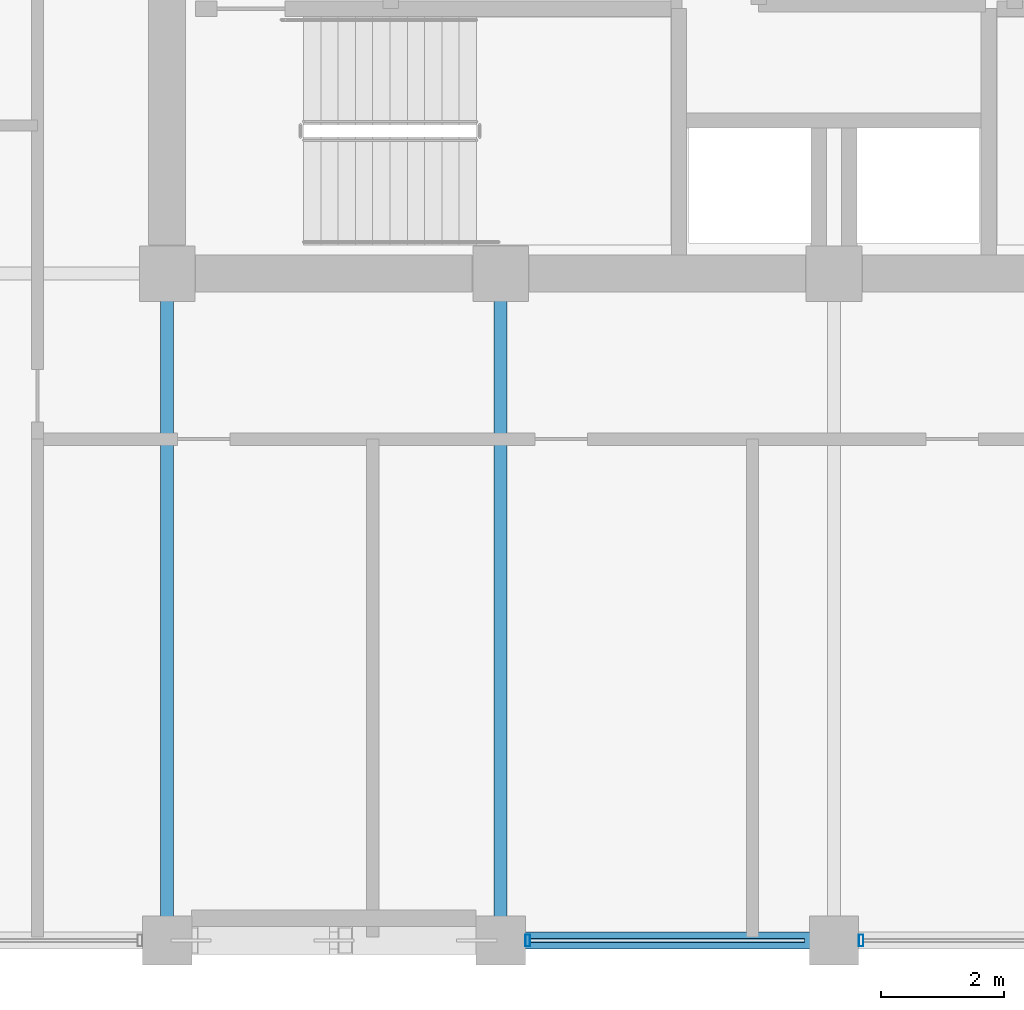
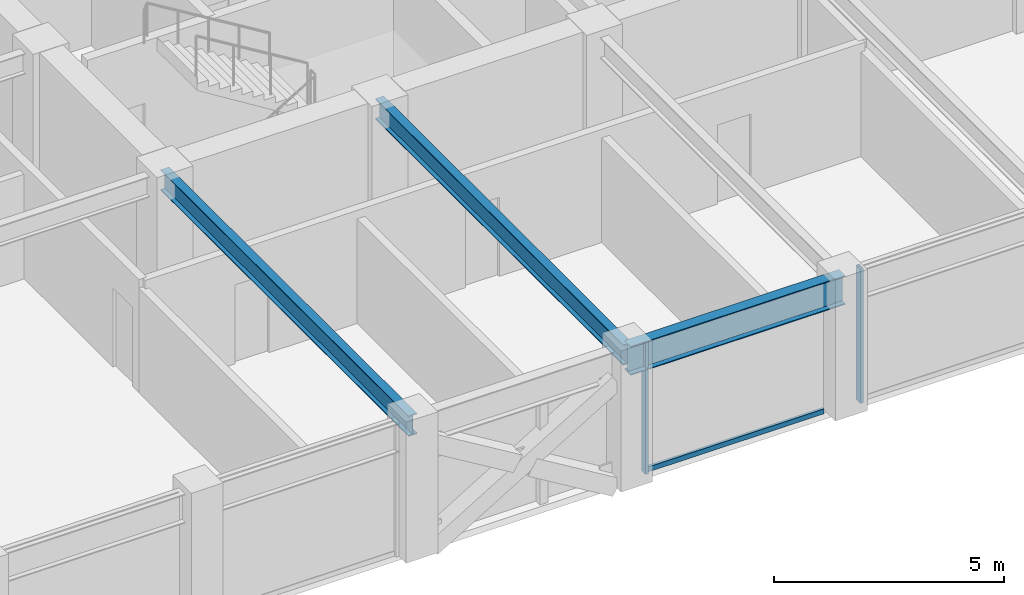
# One storey, part 6 of 32: 3 beams, 3 members, 1 element without a shape of its own.
"""IFC4 building model written with IfcOpenShell, lengths in metres."""

from ifc_helpers import new_model, si_unit, direction, frame, origin, origin_2d, place, context, subcontext, project, spatial, hollow_rectangle, i_section, extrude, material, layer, layer_set, material_profile, profile_set, type_object, element, aggregate, save


model = new_model("IFC4")

# Units and contexts
model_context = context("Model", 3, precision=1e-05, world=origin(), true_north=direction((0.0, 1.0)))
body_context = subcontext(model_context, "Body", "Model", "MODEL_VIEW")
ifc_project = project(units=[si_unit("LENGTHUNIT", "METRE"), si_unit("AREAUNIT", "SQUARE_METRE"), si_unit("VOLUMEUNIT", "CUBIC_METRE"), si_unit("PLANEANGLEUNIT", "RADIAN"), si_unit("MASSUNIT", "GRAM", prefix="KILO")], contexts=[model_context])

# Site, building, storey
site_placement = place(None, origin())
site = spatial("IfcSite", under=ifc_project, at=site_placement, CompositionType="ELEMENT")
building_placement = place(site_placement, origin())
building = spatial("IfcBuilding", under=site, at=building_placement, Name="Surkhivell Harbour Commons", CompositionType="ELEMENT")
storey_placement = place(building_placement, frame((0.0, 0.0, 216.0)))
storey = spatial("IfcBuildingStorey", under=building, at=storey_placement, Name="L56", CompositionType="ELEMENT", Elevation=216.0)

# Beams
ifc_material_1 = material(Name="Steel S355", Category="steel")
ifc_material_profile_1 = material_profile(ifc_material_1, i_section(OverallWidth=0.2119140625, OverallDepth=0.5439453125, WebThickness=0.0126953125, FlangeThickness=0.021240234375, at=origin_2d()), Name="UB533x210x122")
ifc_profile_set_1 = profile_set([ifc_material_profile_1], Name="Steel S355")
beam_type_1 = type_object("IfcBeamType", Name="BM-GRD-533A", PredefinedType="BEAM", material=ifc_profile_set_1)
for number, where, z_axis, x_axis, name in (
    (1, (-10.800048828125, -21.60009765625, 3.298095703125), (0.0, 1.0, 0.0), (-1.0, 0.0, 0.0), "L56 Floor Girder (-10.8,-21.6)"),
    (2, (-5.39990234375, -21.60009765625, 3.298095703125), (0.0, 1.0, 0.0), (-1.0, 0.0, 0.0), "L56 Floor Girder (-5.4,-21.6)"),
):
    element("IfcBeam", number, at=place(storey_placement, frame(where, z_axis=z_axis, x_axis=x_axis)), inside=storey, type_object=beam_type_1, Name=name, PredefinedType="BEAM", context=body_context, shape_type="SweptSolid", body=[
        extrude(i_section(OverallWidth=0.2119140625, OverallDepth=0.5439453125, WebThickness=0.0126953125, FlangeThickness=0.021240234375, at=origin_2d()), origin(), (0.0, 0.0, 1.0), 10.800048828125),
    ])
ifc_material_profile_2 = material_profile(ifc_material_1, i_section(OverallWidth=0.26806640625, OverallDepth=0.77001953125, WebThickness=0.015625, FlangeThickness=0.025390625, at=origin_2d()), Name="UB762x267x197")
ifc_profile_set_2 = profile_set([ifc_material_profile_2], Name="Steel S355")
beam_type_2 = type_object("IfcBeamType", Name="BM-SPN-762", PredefinedType="SPANDREL", material=ifc_profile_set_2)
beam_placement = place(storey_placement, frame((-5.39990234375, -21.60009765625, 3.18505859375), z_axis=(1.0, 0.0, 0.0), x_axis=(0.0, 1.0, 0.0)))
element("IfcBeam", 3, at=beam_placement, inside=storey, type_object=beam_type_2, Name="L56 Tube Spandrel (-5.4,-21.6)", PredefinedType="SPANDREL", context=body_context, shape_type="SweptSolid", body=[
    extrude(i_section(OverallWidth=0.26806640625, OverallDepth=0.77001953125, WebThickness=0.015625, FlangeThickness=0.025390625, at=origin_2d()), origin(), (0.0, 0.0, 1.0), 5.39990234375),
])

# Curtain wall, members
ifc_material_2 = material(Name="Anodised pale-metal aluminium and insulated glazing", Category="aluminium")
ifc_layer = layer(ifc_material_2, 0.18994140625)
ifc_layer_set = layer_set([ifc_layer], Name="Anodised pale-metal aluminium and insulated glazing")
curtain_wall_type = type_object("IfcCurtainWallType", Name="CW-SYS-Z3", PredefinedType="NOTDEFINED", material=ifc_layer_set)
curtain_wall_placement = place(storey_placement, origin())
curtain_wall = element("IfcCurtainWall", 4, at=curtain_wall_placement, inside=storey, type_object=curtain_wall_type, Name="L56 Curtain Wall CW-L56-E00S2", PredefinedType="NOTDEFINED")
ifc_material_3 = material(Name="Anodised pale-metal aluminium alloy 6063-T6", Category="aluminium")
ifc_material_profile_3 = material_profile(ifc_material_3, hollow_rectangle(XDim=0.074951171875, YDim=0.18994140625, WallThickness=0.00390625, at=origin_2d()), Name="ALU-MULL-75x190")
ifc_profile_set_3 = profile_set([ifc_material_profile_3], Name="Anodised pale-metal aluminium alloy 6063-T6")
member_type_1 = type_object("IfcMemberType", Name="CWM-190", PredefinedType="MULLION", material=ifc_profile_set_3)
member_1_placement = place(storey_placement, frame((-4.96044921875, -21.60009765625, 0.0), z_axis=(0.0, 0.0, 1.0), x_axis=(1.0, 0.0, 0.0)))
member_1 = element("IfcMember", 5, at=member_1_placement, type_object=member_type_1, Name="CW-Z3 mullion 1", PredefinedType="MULLION", context=body_context, shape_type="SweptSolid", body=[
    extrude(hollow_rectangle(XDim=0.074951171875, YDim=0.18994140625, WallThickness=0.00390625, at=origin_2d()), origin(), (0.0, 0.0, 1.0), 3.570068359375),
])
member_2_placement = place(storey_placement, frame((0.439453125, -21.60009765625, 0.0), z_axis=(0.0, 0.0, 1.0), x_axis=(1.0, 0.0, 0.0)))
member_2 = element("IfcMember", 6, at=member_2_placement, type_object=member_type_1, Name="CW-Z3 mullion 2", PredefinedType="MULLION", context=body_context, shape_type="SweptSolid", body=[
    extrude(hollow_rectangle(XDim=0.074951171875, YDim=0.18994140625, WallThickness=0.00390625, at=origin_2d()), origin(), (0.0, 0.0, 1.0), 3.570068359375),
])
ifc_material_4 = material(Name="Champagne anodised aluminium alloy 6063-T6", Category="aluminium")
ifc_material_profile_4 = material_profile(ifc_material_4, hollow_rectangle(XDim=0.070068359375, YDim=0.1298828125, WallThickness=0.00341796875, at=origin_2d()), Name="ALU-TRAN-70x130")
ifc_profile_set_4 = profile_set([ifc_material_profile_4], Name="Champagne anodised aluminium alloy 6063-T6")
member_type_2 = type_object("IfcMemberType", Name="CWT-130", PredefinedType="USERDEFINED", material=ifc_profile_set_4)
member_3_placement = place(storey_placement, frame((-4.923095703125, -21.60009765625, 0.06494140625), z_axis=(1.0, 0.0, 0.0), x_axis=(0.0, 1.0, 0.0)))
member_3 = element("IfcMember", 7, at=member_3_placement, type_object=member_type_2, Name="CW-Z3 transom 1.1", ObjectType="TRANSOM", PredefinedType="USERDEFINED", context=body_context, shape_type="SweptSolid", body=[
    extrude(hollow_rectangle(XDim=0.070068359375, YDim=0.1298828125, WallThickness=0.00341796875, at=origin_2d()), origin(), (0.0, 0.0, 1.0), 4.446044921875),
])
aggregate(curtain_wall, [member_1, member_3, member_2])

save(model, "model.ifc")
